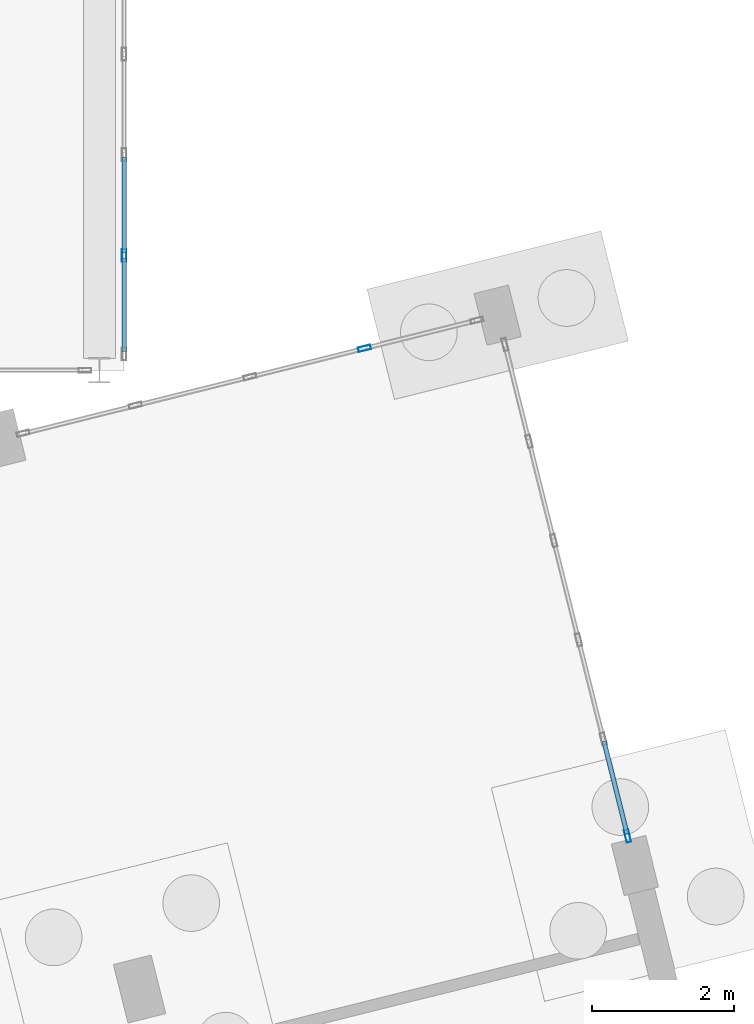
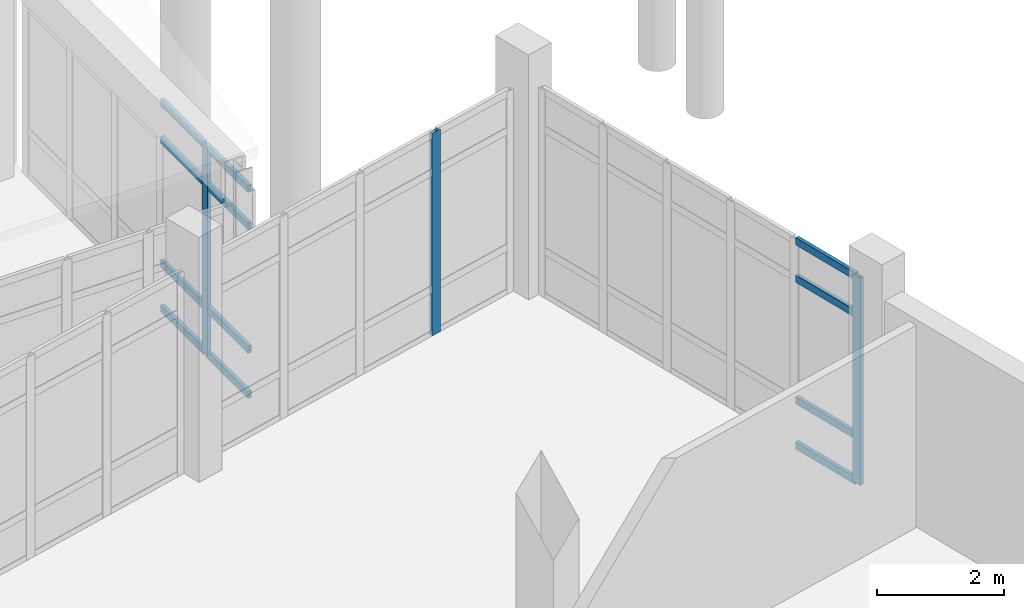
# One storey, part 100 of 173: 15 members, 3 elements without a shape of their own.
"""IFC4 building model written with IfcOpenShell, lengths in metres."""

from ifc_helpers import new_model, si_unit, direction, frame, origin, origin_2d, place, context, subcontext, project, spatial, hollow_rectangle, extrude, material, layer, layer_set, material_profile, profile_set, type_object, element, aggregate, save


model = new_model("IFC4")

# Units and contexts
model_context = context("Model", 3, precision=1e-05, world=origin(), true_north=direction((0.0, 1.0)))
body_context = subcontext(model_context, "Body", "Model", "MODEL_VIEW")
ifc_project = project(units=[si_unit("LENGTHUNIT", "METRE"), si_unit("AREAUNIT", "SQUARE_METRE"), si_unit("VOLUMEUNIT", "CUBIC_METRE"), si_unit("PLANEANGLEUNIT", "RADIAN"), si_unit("MASSUNIT", "GRAM", prefix="KILO")], contexts=[model_context])

# Site, building, storey
site_placement = place(None, origin())
site = spatial("IfcSite", under=ifc_project, at=site_placement, CompositionType="ELEMENT")
building_placement = place(site_placement, origin())
building = spatial("IfcBuilding", under=site, at=building_placement, Name="Mawjan Specialist Oncology Clinic", CompositionType="ELEMENT")
storey_placement = place(building_placement, origin())
storey = spatial("IfcBuildingStorey", under=building, at=storey_placement, Name="L00", CompositionType="ELEMENT", Elevation=0.0)

# Curtain wall, member
ifc_material_1 = material(Name="Unitised spectrally selective aluminium curtain wall", Category="aluminium")
ifc_layer_1 = layer(ifc_material_1, 0.179931640625, Name="Unitised spectrally selective aluminium curtain wall", Category="aluminium")
ifc_layer_set_1 = layer_set([ifc_layer_1], Name="Unitised spectrally selective aluminium curtain wall")
curtain_wall_type_1 = type_object("IfcCurtainWallType", Name="CW-19", PredefinedType="NOTDEFINED", material=ifc_layer_set_1)
curtain_wall_1_placement = place(storey_placement, origin())
curtain_wall_1 = element("IfcCurtainWall", 1, at=curtain_wall_1_placement, inside=storey, type_object=curtain_wall_type_1, Name="L00 Unitised Curtain Wall CW-L00-035", PredefinedType="NOTDEFINED")
ifc_material_2 = material(Name="Thermally broken aluminium 6063-T6", Category="aluminium")
ifc_material_profile_1 = material_profile(ifc_material_2, hollow_rectangle(XDim=0.06494140625, YDim=0.179931640625, WallThickness=0.00390625, at=origin_2d()), Name="ALU MULLION 180x65x4", Category="aluminium")
ifc_profile_set_1 = profile_set([ifc_material_profile_1], Name="Thermally broken aluminium 6063-T6")
member_type_1 = type_object("IfcMemberType", Name="CW-M180", PredefinedType="MULLION", material=ifc_profile_set_1)
member_1_placement = place(storey_placement, frame((139.0, 47.419921875, 0.0), z_axis=(0.0, 0.0, 1.0), x_axis=(1.0, 0.0, 0.0)))
member_1 = element("IfcMember", 2, at=member_1_placement, type_object=member_type_1, Name="CW-19 mullion 5", PredefinedType="MULLION", context=body_context, shape_type="SweptSolid", body=[
    extrude(hollow_rectangle(XDim=0.06494140625, YDim=0.179931640625, WallThickness=0.00390625, at=origin_2d()), origin(), (0.0, 0.0, 1.0), 4.017822265625),
])

ifc_material_3 = material(Name="Unitised spectrally selective aluminium curtain wall", Category="aluminium")
ifc_layer_2 = layer(ifc_material_3, 0.179931640625, Name="Unitised spectrally selective aluminium curtain wall", Category="aluminium")
ifc_layer_set_2 = layer_set([ifc_layer_2], Name="Unitised spectrally selective aluminium curtain wall")
curtain_wall_type_2 = type_object("IfcCurtainWallType", Name="CW-40", PredefinedType="NOTDEFINED", material=ifc_layer_set_2)
curtain_wall_2_placement = place(storey_placement, origin())
curtain_wall_2 = element("IfcCurtainWall", 3, at=curtain_wall_2_placement, inside=storey, type_object=curtain_wall_type_2, Name="L00 Unitised Curtain Wall CW-L00-083", PredefinedType="NOTDEFINED")
member_2_placement = place(storey_placement, frame((142.39013671875, 46.111083984375, 0.0), z_axis=(0.0, 0.0, 1.0), x_axis=(-0.241921939309, 0.970295715378, 0.0)))
member_2 = element("IfcMember", 4, at=member_2_placement, type_object=member_type_1, Name="CW-40 mullion 4", PredefinedType="MULLION", context=body_context, shape_type="SweptSolid", body=[
    extrude(hollow_rectangle(XDim=0.06494140625, YDim=0.179931640625, WallThickness=0.00390625, at=origin_2d()), origin(), (0.0, 0.0, 1.0), 3.885009765625),
])
aggregate(curtain_wall_2, [member_2])

ifc_material_4 = material(Name="Unitised spectrally selective aluminium curtain wall", Category="aluminium")
ifc_layer_3 = layer(ifc_material_4, 0.179931640625, Name="Unitised spectrally selective aluminium curtain wall", Category="aluminium")
ifc_layer_set_3 = layer_set([ifc_layer_3], Name="Unitised spectrally selective aluminium curtain wall")
curtain_wall_type_3 = type_object("IfcCurtainWallType", Name="CW-34", PredefinedType="NOTDEFINED", material=ifc_layer_set_3)
curtain_wall_3_placement = place(storey_placement, origin())
curtain_wall_3 = element("IfcCurtainWall", 5, at=curtain_wall_3_placement, inside=storey, type_object=curtain_wall_type_3, Name="L00 Unitised Curtain Wall CW-L00-084", PredefinedType="NOTDEFINED")
member_3_placement = place(storey_placement, frame((146.099609375, 39.231689453125, 0.0), z_axis=(0.0, 0.0, 1.0), x_axis=(0.970295720441, 0.241921919004, 0.0)))
member_3 = element("IfcMember", 6, at=member_3_placement, type_object=member_type_1, Name="CW-34 mullion 6", PredefinedType="MULLION", context=body_context, shape_type="SweptSolid", body=[
    extrude(hollow_rectangle(XDim=0.06494140625, YDim=0.179931640625, WallThickness=0.00390625, at=origin_2d()), origin(), (0.0, 0.0, 1.0), 3.985107421875),
])

# Member
ifc_material_5 = material(Name="Thermally broken aluminium 6063-T6", Category="aluminium")
ifc_material_profile_2 = material_profile(ifc_material_5, hollow_rectangle(XDim=0.06494140625, YDim=0.139892578125, WallThickness=0.00390625, at=origin_2d()), Name="ALU TRANSOM 140x65x4", Category="aluminium")
ifc_profile_set_2 = profile_set([ifc_material_profile_2], Name="Thermally broken aluminium 6063-T6")
member_type_2 = type_object("IfcMemberType", Name="CW-T140", PredefinedType="USERDEFINED", material=ifc_profile_set_2)
member_4_placement = place(storey_placement, frame((139.0, 48.8076171875, 0.032470703125), z_axis=(0.0, -1.0, 0.0), x_axis=(1.0, 0.0, 0.0)))
member_4 = element("IfcMember", 7, at=member_4_placement, type_object=member_type_2, Name="CW-19 transom 4.1", ObjectType="TRANSOM", PredefinedType="USERDEFINED", context=body_context, shape_type="SweptSolid", body=[
    extrude(hollow_rectangle(XDim=0.06494140625, YDim=0.139892578125, WallThickness=0.00390625, at=origin_2d()), origin(), (0.0, 0.0, 1.0), 1.355224609375),
])

member_5_placement = place(storey_placement, frame((139.0, 48.8076171875, 0.89990234375), z_axis=(0.0, -1.0, 0.0), x_axis=(1.0, 0.0, 0.0)))
member_5 = element("IfcMember", 8, at=member_5_placement, type_object=member_type_2, Name="CW-19 transom 4.2", ObjectType="TRANSOM", PredefinedType="USERDEFINED", context=body_context, shape_type="SweptSolid", body=[
    extrude(hollow_rectangle(XDim=0.06494140625, YDim=0.139892578125, WallThickness=0.00390625, at=origin_2d()), origin(), (0.0, 0.0, 1.0), 1.355224609375),
])

member_6_placement = place(storey_placement, frame((139.0, 48.8076171875, 3.267822265625), z_axis=(0.0, -1.0, 0.0), x_axis=(1.0, 0.0, 0.0)))
member_6 = element("IfcMember", 9, at=member_6_placement, type_object=member_type_2, Name="CW-19 transom 4.3", ObjectType="TRANSOM", PredefinedType="USERDEFINED", context=body_context, shape_type="SweptSolid", body=[
    extrude(hollow_rectangle(XDim=0.06494140625, YDim=0.139892578125, WallThickness=0.00390625, at=origin_2d()), origin(), (0.0, 0.0, 1.0), 1.355224609375),
])

member_7_placement = place(storey_placement, frame((139.0, 48.8076171875, 3.9853515625), z_axis=(0.0, -1.0, 0.0), x_axis=(1.0, 0.0, 0.0)))
member_7 = element("IfcMember", 10, at=member_7_placement, type_object=member_type_2, Name="CW-19 transom 4.4", ObjectType="TRANSOM", PredefinedType="USERDEFINED", context=body_context, shape_type="SweptSolid", body=[
    extrude(hollow_rectangle(XDim=0.06494140625, YDim=0.139892578125, WallThickness=0.00390625, at=origin_2d()), origin(), (0.0, 0.0, 1.0), 1.355224609375),
])

member_8_placement = place(storey_placement, frame((139.0, 47.387451171875, 0.032470703125), z_axis=(0.0, -1.0, 0.0), x_axis=(1.0, 0.0, 0.0)))
member_8 = element("IfcMember", 11, at=member_8_placement, type_object=member_type_2, Name="CW-19 transom 5.1", ObjectType="TRANSOM", PredefinedType="USERDEFINED", context=body_context, shape_type="SweptSolid", body=[
    extrude(hollow_rectangle(XDim=0.06494140625, YDim=0.139892578125, WallThickness=0.00390625, at=origin_2d()), origin(), (0.0, 0.0, 1.0), 1.322509765625),
])

member_9_placement = place(storey_placement, frame((139.0, 47.387451171875, 0.89990234375), z_axis=(0.0, -1.0, 0.0), x_axis=(1.0, 0.0, 0.0)))
member_9 = element("IfcMember", 12, at=member_9_placement, type_object=member_type_2, Name="CW-19 transom 5.2", ObjectType="TRANSOM", PredefinedType="USERDEFINED", context=body_context, shape_type="SweptSolid", body=[
    extrude(hollow_rectangle(XDim=0.06494140625, YDim=0.139892578125, WallThickness=0.00390625, at=origin_2d()), origin(), (0.0, 0.0, 1.0), 1.322509765625),
])

member_10_placement = place(storey_placement, frame((139.0, 47.387451171875, 3.267822265625), z_axis=(0.0, -1.0, 0.0), x_axis=(1.0, 0.0, 0.0)))
member_10 = element("IfcMember", 13, at=member_10_placement, type_object=member_type_2, Name="CW-19 transom 5.3", ObjectType="TRANSOM", PredefinedType="USERDEFINED", context=body_context, shape_type="SweptSolid", body=[
    extrude(hollow_rectangle(XDim=0.06494140625, YDim=0.139892578125, WallThickness=0.00390625, at=origin_2d()), origin(), (0.0, 0.0, 1.0), 1.322509765625),
])

member_11_placement = place(storey_placement, frame((139.0, 47.387451171875, 3.9853515625), z_axis=(0.0, -1.0, 0.0), x_axis=(1.0, 0.0, 0.0)))
member_11 = element("IfcMember", 14, at=member_11_placement, type_object=member_type_2, Name="CW-19 transom 5.4", ObjectType="TRANSOM", PredefinedType="USERDEFINED", context=body_context, shape_type="SweptSolid", body=[
    extrude(hollow_rectangle(XDim=0.06494140625, YDim=0.139892578125, WallThickness=0.00390625, at=origin_2d()), origin(), (0.0, 0.0, 1.0), 1.322509765625),
])

aggregate(curtain_wall_1, [member_1, member_4, member_5, member_6, member_7, member_8, member_9, member_10, member_11])

member_12_placement = place(storey_placement, frame((145.766357421875, 40.567626953125, 0.032470703125), z_axis=(0.242065587049, -0.970259888673, 0.0), x_axis=(0.970259888673, 0.242065587049, 0.0)))
member_12 = element("IfcMember", 15, at=member_12_placement, type_object=member_type_2, Name="CW-34 transom 5.1", ObjectType="TRANSOM", PredefinedType="USERDEFINED", context=body_context, shape_type="SweptSolid", body=[
    extrude(hollow_rectangle(XDim=0.06494140625, YDim=0.139892578125, WallThickness=0.00390625, at=origin_2d()), origin(), (0.0, 0.0, 1.0), 1.344482421875),
])

member_13_placement = place(storey_placement, frame((145.766357421875, 40.567626953125, 0.89990234375), z_axis=(0.242065587049, -0.970259888673, 0.0), x_axis=(0.970259888673, 0.242065587049, 0.0)))
member_13 = element("IfcMember", 16, at=member_13_placement, type_object=member_type_2, Name="CW-34 transom 5.2", ObjectType="TRANSOM", PredefinedType="USERDEFINED", context=body_context, shape_type="SweptSolid", body=[
    extrude(hollow_rectangle(XDim=0.06494140625, YDim=0.139892578125, WallThickness=0.00390625, at=origin_2d()), origin(), (0.0, 0.0, 1.0), 1.344482421875),
])

member_14_placement = place(storey_placement, frame((145.766357421875, 40.567626953125, 3.235107421875), z_axis=(0.242065587049, -0.970259888673, 0.0), x_axis=(0.970259888673, 0.242065587049, 0.0)))
member_14 = element("IfcMember", 17, at=member_14_placement, type_object=member_type_2, Name="CW-34 transom 5.3", ObjectType="TRANSOM", PredefinedType="USERDEFINED", context=body_context, shape_type="SweptSolid", body=[
    extrude(hollow_rectangle(XDim=0.06494140625, YDim=0.139892578125, WallThickness=0.00390625, at=origin_2d()), origin(), (0.0, 0.0, 1.0), 1.344482421875),
])

member_15_placement = place(storey_placement, frame((145.766357421875, 40.567626953125, 3.952392578125), z_axis=(0.242065587049, -0.970259888673, 0.0), x_axis=(0.970259888673, 0.242065587049, 0.0)))
member_15 = element("IfcMember", 18, at=member_15_placement, type_object=member_type_2, Name="CW-34 transom 5.4", ObjectType="TRANSOM", PredefinedType="USERDEFINED", context=body_context, shape_type="SweptSolid", body=[
    extrude(hollow_rectangle(XDim=0.06494140625, YDim=0.139892578125, WallThickness=0.00390625, at=origin_2d()), origin(), (0.0, 0.0, 1.0), 1.344482421875),
])

aggregate(curtain_wall_3, [member_3, member_12, member_13, member_14, member_15])

save(model, "model.ifc")
